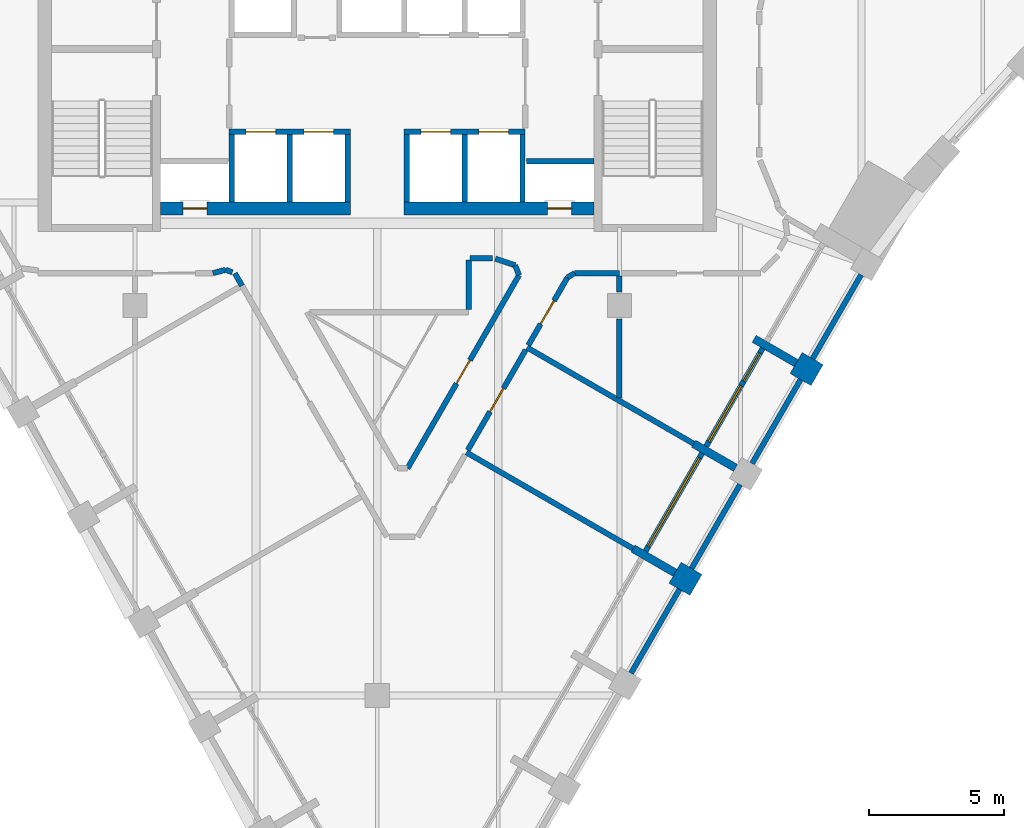
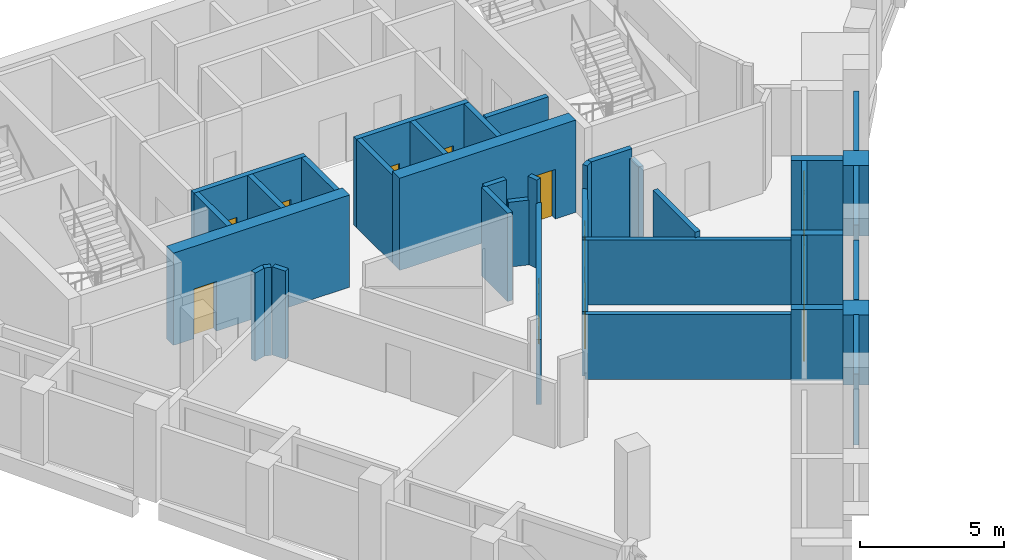
# One storey, part 4 of 9: 38 walls, 10 doors, 2 windows, 12 openings.
"""IFC4 building model written with IfcOpenShell, lengths in metres."""

import ifcopenshell
import ifcopenshell.guid

model = None  # the IFC model being written
_history = None  # IfcOwnerHistory: only IFC2X3 demands one
_inside = {}  # id of a spatial element -> (the spatial element, [elements in it])
_under = {}  # id of a project, library or spatial element -> (it, [spatial elements below it])
_declared = {}  # id of a project -> (the project, [libraries it declares])
_typed = {}  # id of a type object -> (the type object, [elements of that type])
_made_of = {}  # id of a material, layer set ... -> (it, [elements and type objects made of it])


def new_model(schema):
    """Start an empty IFC model of exactly this schema.

    Asked for "IFC4X3", IfcOpenShell would pick the latest addendum, in which some entities
    have other attributes; the version numbers below select the first issue.
    IFC2X3 requires an IfcOwnerHistory on every rooted entity: one is made here for all.
    """
    global model, _history
    if schema == "IFC4X3":
        model = ifcopenshell.file(schema_version=(4, 3, 0, 0))
    else:
        model = ifcopenshell.file(schema=schema)
    _inside.clear()
    _under.clear()
    _declared.clear()
    _typed.clear()
    _made_of.clear()
    _history = None
    if model.schema == "IFC2X3":
        org = make("IfcOrganization", Name="unknown")
        user = make(
            "IfcPersonAndOrganization",
            ThePerson=make("IfcPerson", FamilyName="unknown"),
            TheOrganization=org,
        )
        app = make(
            "IfcApplication",
            ApplicationDeveloper=org,
            Version="unknown",
            ApplicationFullName="unknown",
            ApplicationIdentifier="unknown",
        )
        _history = make(
            "IfcOwnerHistory",
            OwningUser=user,
            OwningApplication=app,
            ChangeAction="ADDED",
            CreationDate=0,
        )
    return model


def make(cls, **values):
    """One entity of the class cls with the attributes given. An attribute that is None is left unset."""
    return model.create_entity(
        cls, **{name: value for name, value in values.items() if value is not None}
    )


def rooted(cls, **values):
    """An entity with a GlobalId (a new one), such as an element, a storey or a relation."""
    return make(cls, GlobalId=ifcopenshell.guid.new(), OwnerHistory=_history, **values)


def si_unit(unit_type, name, prefix=None):
    """IfcSIUnit, for example si_unit("LENGTHUNIT", "METRE", prefix="MILLI")."""
    return make("IfcSIUnit", UnitType=unit_type, Prefix=prefix, Name=name)


def assignment(units):
    """IfcUnitAssignment: the units of a project."""
    return None if units is None else make("IfcUnitAssignment", Units=units)


def point(xyz):
    """IfcCartesianPoint."""
    return None if xyz is None else make("IfcCartesianPoint", Coordinates=xyz)


def direction(xyz):
    """IfcDirection."""
    return None if xyz is None else make("IfcDirection", DirectionRatios=xyz)


def frame(location, z_axis=None, x_axis=None):
    """IfcAxis2Placement3D, a coordinate frame: its origin and axes. An axis left out is left unset."""
    return make(
        "IfcAxis2Placement3D",
        Location=point(location),
        Axis=direction(z_axis),
        RefDirection=direction(x_axis),
    )


def frame_2d(location, x_axis=None):
    """IfcAxis2Placement2D, a coordinate frame in the plane: its origin and x axis."""
    return make(
        "IfcAxis2Placement2D", Location=point(location), RefDirection=direction(x_axis)
    )


def origin():
    """The frame at (0, 0, 0) with its axes left unset."""
    return frame((0.0, 0.0, 0.0))


def place(relative_to, where):
    """IfcLocalPlacement: puts the frame where relative to a parent placement (None: the world)."""
    return make(
        "IfcLocalPlacement", PlacementRelTo=relative_to, RelativePlacement=where
    )


def context(
    kind, dimensions, precision=None, world=None, true_north=None, identifier=None
):
    """IfcGeometricRepresentationContext, for example the 3D "Model" context."""
    return make(
        "IfcGeometricRepresentationContext",
        ContextIdentifier=identifier,
        ContextType=kind,
        CoordinateSpaceDimension=dimensions,
        Precision=precision,
        WorldCoordinateSystem=world,
        TrueNorth=true_north,
    )


def subcontext(parent, identifier, kind, view, scale=None):
    """IfcGeometricRepresentationSubContext, for example "Body" below "Model"."""
    return make(
        "IfcGeometricRepresentationSubContext",
        ContextIdentifier=identifier,
        ContextType=kind,
        ParentContext=parent,
        TargetScale=scale,
        TargetView=view,
    )


def project(units=None, contexts=None):
    """IfcProject with its units and contexts."""
    return rooted(
        "IfcProject",
        Name="project",
        RepresentationContexts=contexts,
        UnitsInContext=assignment(units),
    )


def spatial(cls, under=None, at=None, **own):
    """A site, building, storey or space (cls), placed at a placement, below another one or the project."""
    s = rooted(cls, ObjectPlacement=at, **own)
    if under is not None:
        _under.setdefault(under.id(), (under, []))[1].append(s)
    return s


def polyline(points):
    """IfcPolyline through the points."""
    return make("IfcPolyline", Points=[point(p) for p in points])


def profile(cls, at=None, kind="AREA", **sizes):
    """A parametric profile (cls). Its sizes go by their IFC names, for example OverallWidth=200.0."""
    return make(cls, ProfileType=kind, Position=at, **sizes)


def rectangle(**sizes):
    """IfcRectangleProfileDef."""
    return profile("IfcRectangleProfileDef", **sizes)


def outline(outer, holes=None, kind="AREA"):
    """IfcArbitraryClosedProfileDef: a profile drawn as a closed curve; with holes, ...WithVoids."""
    if holes is None:
        return make("IfcArbitraryClosedProfileDef", ProfileType=kind, OuterCurve=outer)
    return make(
        "IfcArbitraryProfileDefWithVoids",
        ProfileType=kind,
        OuterCurve=outer,
        InnerCurves=holes,
    )


def extrude(swept, where, along, depth):
    """IfcExtrudedAreaSolid: the profile swept, set in the frame where, extruded along a direction by depth."""
    return make(
        "IfcExtrudedAreaSolid",
        SweptArea=swept,
        Position=where,
        ExtrudedDirection=direction(along),
        Depth=depth,
    )


def shape(context_of_items, identifier, shape_type, items):
    """IfcShapeRepresentation: the items that make up one representation, for example the "Body"."""
    return make(
        "IfcShapeRepresentation",
        ContextOfItems=context_of_items,
        RepresentationIdentifier=identifier,
        RepresentationType=shape_type,
        Items=items,
    )


def material(Name=None, Category=None):
    """IfcMaterial."""
    return make("IfcMaterial", Name=Name, Category=Category)


def layer(
    of_material, thickness, ventilated=None, Name=None, Category=None, Priority=None
):
    """IfcMaterialLayer: one layer of a wall or slab, of a material (None: an air gap)."""
    return make(
        "IfcMaterialLayer",
        Material=of_material,
        LayerThickness=thickness,
        IsVentilated=ventilated,
        Name=Name,
        Category=Category,
        Priority=Priority,
    )


def layer_set(layers, Name=None):
    """IfcMaterialLayerSet."""
    return make("IfcMaterialLayerSet", MaterialLayers=layers, LayerSetName=Name)


def made_of(thing, what):
    """Note that an element or type object is made of a material, layer set ...; save() writes the relation."""
    if what is not None:
        _made_of.setdefault(what.id(), (what, []))[1].append(thing)
    return thing


def type_object(cls, material=None, **own):
    """A type object (cls), such as IfcWallType, which elements share."""
    return made_of(rooted(cls, **own), material)


def element(
    cls,
    number,
    at=None,
    inside=None,
    cuts=None,
    type_object=None,
    material=None,
    context=None,
    identifier="Body",
    shape_type=None,
    held_by="IfcProductDefinitionShape",
    body=None,
    shapes=None,
    **own,
):
    """One element of the class cls, such as IfcWall. Its Tag is "e" and its number.

    at: its placement. inside: the storey or other place that contains it. cuts: it is an
    opening in that element (IfcRelVoidsElement). A single representation is given by context,
    identifier, shape_type and body (its items); several are given by shapes. held_by: the class
    of the entity that holds the representations. save() writes the other relations.
    """
    e = rooted(cls, Tag="e%d" % number, ObjectPlacement=at, **own)
    if body is not None:
        shapes = [shape(context, identifier, shape_type, body)]
    if shapes is not None:
        e.Representation = make(held_by, Representations=shapes)
    if inside is not None:
        _inside.setdefault(inside.id(), (inside, []))[1].append(e)
    if cuts is not None:
        rooted(
            "IfcRelVoidsElement", RelatingBuildingElement=cuts, RelatedOpeningElement=e
        )
    if type_object is not None:
        _typed.setdefault(type_object.id(), (type_object, []))[1].append(e)
    return made_of(e, material)


def fill(opening, filler):
    """IfcRelFillsElement: the door or window that sits in an opening."""
    return rooted(
        "IfcRelFillsElement",
        RelatingOpeningElement=opening,
        RelatedBuildingElement=filler,
    )


def aggregate(whole, parts):
    """IfcRelAggregates: a whole, such as a stair, and the parts it consists of."""
    return rooted("IfcRelAggregates", RelatingObject=whole, RelatedObjects=parts)


def save(model, path):
    """Write the relations noted so far, then the file.

    IfcRelAggregates (storeys below a building ...), IfcRelContainedInSpatialStructure (elements
    in a storey), IfcRelDefinesByType, IfcRelAssociatesMaterial and IfcRelDeclares: one each for
    every whole, place, type object, material and project.
    """
    for whole, parts in _under.values():
        aggregate(whole, parts)
    for where, things in _inside.values():
        rooted(
            "IfcRelContainedInSpatialStructure",
            RelatedElements=things,
            RelatingStructure=where,
        )
    for kind, things in _typed.values():
        rooted("IfcRelDefinesByType", RelatedObjects=things, RelatingType=kind)
    for what, things in _made_of.values():
        rooted("IfcRelAssociatesMaterial", RelatedObjects=things, RelatingMaterial=what)
    for by, libraries in _declared.values():
        rooted("IfcRelDeclares", RelatingContext=by, RelatedDefinitions=libraries)
    model.write(path)


model = new_model("IFC4")

# Units and contexts
model_context = context("Model", 3, precision=1e-05, world=origin(), true_north=direction((0.0, 1.0)))
body_context = subcontext(model_context, "Body", "Model", "MODEL_VIEW")
ifc_project = project(units=[si_unit("LENGTHUNIT", "METRE"), si_unit("AREAUNIT", "SQUARE_METRE"), si_unit("VOLUMEUNIT", "CUBIC_METRE"), si_unit("PLANEANGLEUNIT", "RADIAN"), si_unit("MASSUNIT", "GRAM", prefix="KILO")], contexts=[model_context])

# Site, building, storey
site_placement = place(None, origin())
site = spatial("IfcSite", under=ifc_project, at=site_placement, CompositionType="ELEMENT")
building_placement = place(site_placement, origin())
building = spatial("IfcBuilding", under=site, at=building_placement, Name="Calabash Gate Tower", CompositionType="ELEMENT")
storey_placement = place(building_placement, frame((0.0, 0.0, 291.10009765625)))
storey = spatial("IfcBuildingStorey", under=building, at=storey_placement, Name="L70", CompositionType="ELEMENT", Elevation=291.10009765625)

# Walls
ifc_material_1 = material(Name="Terracotta brick masonry, exposed face", Category="masonry")
ifc_layer_1 = layer(ifc_material_1, 0.89990234375)
ifc_layer_set_1 = layer_set([ifc_layer_1], Name="Brick end wall 900")
wall_type_1 = type_object("IfcWallType", Name="Brick end wall 900", PredefinedType="SOLIDWALL", material=ifc_layer_set_1)
wall_1_placement = place(storey_placement, frame((11.068115234375, -7.436767578125, 0.0), z_axis=(0.0, 0.0, 1.0), x_axis=(0.866081705922, -0.499902469156, 0.0)))
element("IfcWall", 1, at=wall_1_placement, inside=storey, type_object=wall_type_1, Name="Brick pier S21 SE2.3", PredefinedType="SOLIDWALL", context=body_context, shape_type="SweptSolid", body=[
    extrude(rectangle(XDim=0.900146484375, YDim=0.89990234375, at=frame_2d((0.4501953125, 0.0))), origin(), (0.0, 0.0, 1.0), 2.973388671875),
])
wall_2_placement = place(storey_placement, frame((15.568115234375, 0.357421875, 0.0), z_axis=(0.0, 0.0, 1.0), x_axis=(0.866081705922, -0.499902469156, 0.0)))
element("IfcWall", 2, at=wall_2_placement, inside=storey, type_object=wall_type_1, Name="Brick pier S21 SE2.5", PredefinedType="SOLIDWALL", context=body_context, shape_type="SweptSolid", body=[
    extrude(rectangle(XDim=0.900146484375, YDim=0.89990234375, at=frame_2d((0.4501953125, 0.0))), origin(), (0.0, 0.0, 1.0), 3.0),
])
ifc_material_2 = material(Name="Terracotta brick masonry, exposed face", Category="masonry")
ifc_layer_2 = layer(ifc_material_2, 0.300048828125)
ifc_layer_set_2 = layer_set([ifc_layer_2], Name="Brick loggia cheek wall 300")
wall_type_2 = type_object("IfcWallType", Name="Brick loggia cheek wall 300", PredefinedType="SOLIDWALL", material=ifc_layer_set_2)
wall_3_placement = place(storey_placement, frame((11.068115234375, -7.436767578125, 0.0), z_axis=(0.0, 0.0, 1.0), x_axis=(-0.866047807691, 0.499961193289, 0.0)))
element("IfcWall", 3, at=wall_3_placement, inside=storey, type_object=wall_type_2, Name="Loggia cheek S21 SE2.3", PredefinedType="SOLIDWALL", context=body_context, shape_type="SweptSolid", body=[
    extrude(rectangle(XDim=1.800048828125, YDim=0.300048828125, at=frame_2d((0.89990234375, 0.0))), origin(), (0.0, 0.0, 1.0), 3.0),
])
wall_4_placement = place(storey_placement, frame((11.75927734375, -2.6396484375, 0.0), z_axis=(0.0, 0.0, 1.0), x_axis=(0.866038726271, -0.499976924066, 0.0)))
element("IfcWall", 4, at=wall_4_placement, inside=storey, type_object=wall_type_2, Name="Loggia cheek S21 SE2.4", PredefinedType="SOLIDWALL", context=body_context, shape_type="SweptSolid", body=[
    extrude(rectangle(XDim=1.79931640625, YDim=0.300048828125, at=frame_2d((0.899658203125, 0.0))), origin(), (0.0, 0.0, 1.0), 3.0),
])
wall_5_placement = place(storey_placement, frame((15.568115234375, 0.357421875, 0.0), z_axis=(0.0, 0.0, 1.0), x_axis=(-0.866047807691, 0.499961193289, 0.0)))
element("IfcWall", 5, at=wall_5_placement, inside=storey, type_object=wall_type_2, Name="Loggia cheek S21 SE2.5", PredefinedType="SOLIDWALL", context=body_context, shape_type="SweptSolid", body=[
    extrude(rectangle(XDim=1.800048828125, YDim=0.300048828125, at=frame_2d((0.89990234375, 0.0))), origin(), (0.0, 0.0, 1.0), 3.0),
])

# Wall, opening, door
ifc_material_3 = material(Name="Concrete C60/75", Category="concrete")
ifc_layer_3 = layer(ifc_material_3, 0.5)
ifc_layer_set_3 = layer_set([ifc_layer_3], Name="Core wall 500 Concrete C60/75")
wall_type_3 = type_object("IfcWallType", Name="Core wall 500 Concrete C60/75", PredefinedType="SHEAR", material=ifc_layer_set_3)
wall_6_placement = place(storey_placement, frame((-8.050048828125, 6.1025390625, 0.0), z_axis=(0.0, 0.0, 1.0), x_axis=(1.0, 0.0, 0.0)))
wall_6 = element("IfcWall", 6, at=wall_6_placement, inside=storey, type_object=wall_type_3, Name="Core wall Z5-SA L70", PredefinedType="SHEAR", context=body_context, shape_type="SweptSolid", body=[
    extrude(rectangle(XDim=7.050048828125, YDim=0.5, at=frame_2d((3.52490234375, 0.0))), origin(), (0.0, 0.0, 1.0), 3.89990234375),
])
opening_1_placement = place(wall_6_placement, frame((0.824951171875, 0.0, 0.0)))
opening_1 = element("IfcOpeningElement", 7, at=opening_1_placement, cuts=wall_6, Name="Opening O13-009", PredefinedType="OPENING", context=body_context, shape_type="SweptSolid", body=[
    extrude(rectangle(XDim=0.89990234375, YDim=2.10009765625, at=frame_2d((0.449951171875, 1.050048828125))), frame((0.0, 0.260009765625, 0.0), z_axis=(0.0, -1.0, 0.0), x_axis=(1.0, 0.0, 0.0)), (0.0, 0.0, 1.0), 0.52001953125),
])
ifc_material_4 = material(Name="Steel fire door set with fire-resisting glazing", Category="steel")
door_type_1 = type_object("IfcDoorType", Name="Fire door D07 900x2100 FD90", OperationType="NOTDEFINED", PredefinedType="DOOR", material=ifc_material_4)
door_1_placement = place(opening_1_placement, origin())
door_1 = element("IfcDoor", 8, at=door_1_placement, inside=storey, type_object=door_type_1, Name="Electrical Riser W door", OperationType="SINGLE_SWING_LEFT", OverallHeight=2.10009765625, OverallWidth=0.89990234375, PredefinedType="DOOR", context=body_context, shape_type="SweptSolid", body=[
    extrude(rectangle(XDim=0.89990234375, YDim=2.10009765625, at=frame_2d((0.449951171875, 1.050048828125))), frame((0.0, 0.02490234375, 0.0), z_axis=(0.0, -1.0, 0.0), x_axis=(1.0, 0.0, 0.0)), (0.0, 0.0, 1.0), 0.050048828125),
])
fill(opening_1, door_1)

wall_7_placement = place(storey_placement, frame((1.0, 6.1025390625, 0.0), z_axis=(0.0, 0.0, 1.0), x_axis=(1.0, 0.0, 0.0)))
wall_7 = element("IfcWall", 9, at=wall_7_placement, inside=storey, type_object=wall_type_3, Name="Core wall Z5-SB L70", PredefinedType="SHEAR", context=body_context, shape_type="SweptSolid", body=[
    extrude(rectangle(XDim=7.050048828125, YDim=0.5, at=frame_2d((3.52490234375, 0.0))), origin(), (0.0, 0.0, 1.0), 3.89990234375),
])
opening_2_placement = place(wall_7_placement, frame((5.324951171875, 0.0, 0.0)))
opening_2 = element("IfcOpeningElement", 10, at=opening_2_placement, cuts=wall_7, Name="Opening O13-008", PredefinedType="OPENING", context=body_context, shape_type="SweptSolid", body=[
    extrude(rectangle(XDim=0.89990234375, YDim=2.10009765625, at=frame_2d((0.449951171875, 1.050048828125))), frame((0.0, 0.260009765625, 0.0), z_axis=(0.0, -1.0, 0.0), x_axis=(1.0, 0.0, 0.0)), (0.0, 0.0, 1.0), 0.52001953125),
])
door_2_placement = place(opening_2_placement, origin())
door_2 = element("IfcDoor", 11, at=door_2_placement, inside=storey, type_object=door_type_1, Name="Mechanical Riser E door", OperationType="SINGLE_SWING_RIGHT", OverallHeight=2.10009765625, OverallWidth=0.89990234375, PredefinedType="DOOR", context=body_context, shape_type="SweptSolid", body=[
    extrude(rectangle(XDim=0.89990234375, YDim=2.10009765625, at=frame_2d((0.449951171875, 1.050048828125))), frame((0.0, 0.02490234375, 0.0), z_axis=(0.0, -1.0, 0.0), x_axis=(1.0, 0.0, 0.0)), (0.0, 0.0, 1.0), 0.050048828125),
])
fill(opening_2, door_2)

ifc_material_5 = material(Name="Gypsum board on steel studs, mineral wool", Category="steel")
ifc_layer_4 = layer(ifc_material_5, 0.199951171875)
ifc_layer_set_4 = layer_set([ifc_layer_4], Name="Partition 200 gypsum board EI 60")
wall_type_4 = type_object("IfcWallType", Name="Partition 200 gypsum board EI 60", PredefinedType="PARTITIONING", material=ifc_layer_set_4)
wall_8_placement = place(storey_placement, frame((1.126220703125, -3.556396484375, 0.0), z_axis=(0.0, 0.0, 1.0), x_axis=(0.500008091576, 0.86602073206, 0.0)))
wall_8 = element("IfcWall", 12, at=wall_8_placement, inside=storey, type_object=wall_type_4, Name="Partition", PredefinedType="PARTITIONING", context=body_context, shape_type="SweptSolid", body=[
    extrude(rectangle(XDim=8.286376953125, YDim=0.199951171875, at=frame_2d((4.14306640625, 0.0))), origin(), (0.0, 0.0, 1.0), 2.74169921875),
])
opening_3_placement = place(wall_8_placement, frame((3.643310546875, 0.0, 0.0)))
opening_3 = element("IfcOpeningElement", 13, at=opening_3_placement, cuts=wall_8, Name="Opening 69-70-012", PredefinedType="OPENING", context=body_context, shape_type="SweptSolid", body=[
    extrude(rectangle(XDim=1.0, YDim=2.10009765625, at=frame_2d((0.5, 1.050048828125))), frame((0.0, 0.10986328125, 0.0), z_axis=(0.0, -1.0, 0.0), x_axis=(1.0, 0.0, 0.0)), (0.0, 0.0, 1.0), 0.219970703125),
])
ifc_material_6 = material(Name="Steel fire door set with fire-resisting glazing", Category="steel")
door_type_2 = type_object("IfcDoorType", Name="WD3 WC lobby door 1000x2100", OperationType="NOTDEFINED", PredefinedType="DOOR", material=ifc_material_6)
door_3_placement = place(opening_3_placement, origin())
door_3 = element("IfcDoor", 14, at=door_3_placement, inside=storey, type_object=door_type_2, Name="WC lobby door", OperationType="SINGLE_SWING_RIGHT", OverallHeight=2.10009765625, OverallWidth=1.0, PredefinedType="DOOR", context=body_context, shape_type="SweptSolid", body=[
    extrude(rectangle(XDim=1.0, YDim=2.10009765625, at=frame_2d((0.5, 1.050048828125))), frame((0.0, 0.02490234375, 0.0), z_axis=(0.0, -1.0, 0.0), x_axis=(1.0, 0.0, 0.0)), (0.0, 0.0, 1.0), 0.050048828125),
])
fill(opening_3, door_3)

# Walls
wall_9_placement = place(storey_placement, frame((3.316650390625, -2.9638671875, 0.0), z_axis=(0.0, 0.0, 1.0), x_axis=(0.8661275932, -0.499822960955, 0.0)))
element("IfcWall", 15, at=wall_9_placement, inside=storey, type_object=wall_type_4, Name="Partition", PredefinedType="PARTITIONING", context=body_context, shape_type="SweptSolid", body=[
    extrude(rectangle(XDim=7.1494140625, YDim=0.199951171875, at=frame_2d((3.57470703125, 0.0))), origin(), (0.0, 0.0, 1.0), 2.74169921875),
])
wall_10_placement = place(storey_placement, frame((8.998046875, -0.943115234375, 0.0), z_axis=(0.0, 0.0, 1.0), x_axis=(0.000580671822, 0.99999983141, 0.0)))
element("IfcWall", 16, at=wall_10_placement, inside=storey, type_object=wall_type_4, Name="Partition", PredefinedType="PARTITIONING", context=body_context, shape_type="SweptSolid", body=[
    extrude(rectangle(XDim=2.943115234375, YDim=0.199951171875, at=frame_2d((1.4716796875, 0.0))), origin(), (0.0, 0.0, 1.0), 2.973388671875),
])

# Wall, opening, door
wall_11_placement = place(storey_placement, frame((3.368896484375, -2.876220703125, 0.0), z_axis=(0.0, 0.0, 1.0), x_axis=(0.500028799954, 0.866008775485, 0.0)))
wall_11 = element("IfcWall", 17, at=wall_11_placement, inside=storey, type_object=wall_type_4, Name="Partition", PredefinedType="PARTITIONING", context=body_context, shape_type="SweptSolid", body=[
    extrude(rectangle(XDim=4.300048828125, YDim=0.199951171875, at=frame_2d((2.14990234375, 0.0))), origin(), (0.0, 0.0, 1.0), 2.74169921875),
])
opening_4_placement = place(wall_11_placement, frame((1.64990234375, 0.0, 0.0)))
opening_4 = element("IfcOpeningElement", 18, at=opening_4_placement, cuts=wall_11, Name="Opening 69-70-003", PredefinedType="OPENING", context=body_context, shape_type="SweptSolid", body=[
    extrude(rectangle(XDim=1.0, YDim=2.10009765625, at=frame_2d((0.5, 1.050048828125))), frame((0.0, 0.10986328125, 0.0), z_axis=(0.0, -1.0, 0.0), x_axis=(1.0, 0.0, 0.0)), (0.0, 0.0, 1.0), 0.219970703125),
])
ifc_material_7 = material(Name="Steel fire door set with fire-resisting glazing", Category="steel")
door_type_3 = type_object("IfcDoorType", Name="LD2 Meeting room door 1000x2100", OperationType="NOTDEFINED", PredefinedType="DOOR", material=ifc_material_7)
door_4_placement = place(opening_4_placement, origin())
door_4 = element("IfcDoor", 19, at=door_4_placement, inside=storey, type_object=door_type_3, Name="Meeting room door", OperationType="SINGLE_SWING_LEFT", OverallHeight=2.10009765625, OverallWidth=1.0, PredefinedType="DOOR", context=body_context, shape_type="SweptSolid", body=[
    extrude(rectangle(XDim=1.0, YDim=2.10009765625, at=frame_2d((0.5, 1.050048828125))), frame((0.0, 0.02490234375, 0.0), z_axis=(0.0, -1.0, 0.0), x_axis=(1.0, 0.0, 0.0)), (0.0, 0.0, 1.0), 0.050048828125),
])
fill(opening_4, door_4)

# Walls
wall_12_placement = place(storey_placement, frame((5.568603515625, 0.936767578125, 0.0), z_axis=(0.0, 0.0, 1.0), x_axis=(0.866028067963, -0.499995385478, 0.0)))
element("IfcWall", 20, at=wall_12_placement, inside=storey, type_object=wall_type_4, Name="Partition", PredefinedType="PARTITIONING", context=body_context, shape_type="SweptSolid", body=[
    extrude(rectangle(XDim=7.1494140625, YDim=0.199951171875, at=frame_2d((3.57470703125, 0.0))), origin(), (0.0, 0.0, 1.0), 2.74169921875),
])
wall_13_placement = place(storey_placement, frame((8.998291015625, 3.599609375, 0.0), z_axis=(0.0, 0.0, 1.0), x_axis=(0.002442989453, -0.999997015897, 0.0)))
element("IfcWall", 21, at=wall_13_placement, inside=storey, type_object=wall_type_4, Name="Partition", PredefinedType="PARTITIONING", context=body_context, shape_type="SweptSolid", body=[
    extrude(rectangle(XDim=0.599609375, YDim=0.199951171875, at=frame_2d((0.2998046875, 0.0))), origin(), (0.0, 0.0, 1.0), 3.33154296875),
])
wall_14_placement = place(storey_placement, frame((-5.288818359375, 3.694091796875, 0.0), z_axis=(0.0, 0.0, 1.0), x_axis=(0.497517178185, -0.867454124096, 0.0)))
element("IfcWall", 22, at=wall_14_placement, inside=storey, type_object=wall_type_4, Name="Partition", PredefinedType="PARTITIONING", context=body_context, shape_type="SweptSolid", body=[
    extrude(rectangle(XDim=0.533935546875, YDim=0.199951171875, at=frame_2d((0.26708984375, 0.0))), origin(), (0.0, 0.0, 1.0), 3.72998046875),
])

# Wall, opening, door
wall_15_placement = place(storey_placement, frame((5.619140625, 1.021240234375, 0.0), z_axis=(0.0, 0.0, 1.0), x_axis=(0.499589520325, 0.866262264664, 0.0)))
wall_15 = element("IfcWall", 23, at=wall_15_placement, inside=storey, type_object=wall_type_4, Name="Partition", PredefinedType="PARTITIONING", context=body_context, shape_type="SweptSolid", body=[
    extrude(rectangle(XDim=2.9150390625, YDim=0.199951171875, at=frame_2d((1.45751953125, 0.0))), origin(), (0.0, 0.0, 1.0), 2.74169921875),
])
opening_5_placement = place(wall_15_placement, frame((0.906494140625, 0.0, 0.0)))
opening_5 = element("IfcOpeningElement", 24, at=opening_5_placement, cuts=wall_15, Name="Opening 69-70-010", PredefinedType="OPENING", context=body_context, shape_type="SweptSolid", body=[
    extrude(rectangle(XDim=1.0, YDim=2.10009765625, at=frame_2d((0.5, 1.050048828125))), frame((0.0, 0.10986328125, 0.0), z_axis=(0.0, -1.0, 0.0), x_axis=(1.0, 0.0, 0.0)), (0.0, 0.0, 1.0), 0.219970703125),
])
door_5_placement = place(opening_5_placement, origin())
door_5 = element("IfcDoor", 25, at=door_5_placement, inside=storey, type_object=door_type_3, Name="Meeting room door", OperationType="SINGLE_SWING_LEFT", OverallHeight=2.10009765625, OverallWidth=1.0, PredefinedType="DOOR", context=body_context, shape_type="SweptSolid", body=[
    extrude(rectangle(XDim=1.0, YDim=2.10009765625, at=frame_2d((0.5, 1.050048828125))), frame((0.0, 0.02490234375, 0.0), z_axis=(0.0, -1.0, 0.0), x_axis=(1.0, 0.0, 0.0)), (0.0, 0.0, 1.0), 0.050048828125),
])
fill(opening_5, door_5)

# Walls
wall_16_placement = place(storey_placement, frame((5.12890625, 3.989990234375, 0.0), z_axis=(0.0, 0.0, 1.0), x_axis=(0.355174654852, -0.934799959644, 0.0)))
element("IfcWall", 26, at=wall_16_placement, inside=storey, type_object=wall_type_4, Name="Partition", PredefinedType="PARTITIONING", context=body_context, shape_type="SweptSolid", body=[
    extrude(rectangle(XDim=0.39599609375, YDim=0.199951171875, at=frame_2d((0.197998046875, 0.0))), origin(), (0.0, 0.0, 1.0), 3.72998046875),
])
wall_17_placement = place(storey_placement, frame((7.075439453125, 3.54638671875, 0.0), z_axis=(0.0, 0.0, 1.0), x_axis=(0.866026229868, 0.499998569178, 0.0)))
element("IfcWall", 27, at=wall_17_placement, inside=storey, type_object=wall_type_4, Name="Partition", PredefinedType="PARTITIONING", context=body_context, shape_type="SweptSolid", body=[
    extrude(rectangle(XDim=0.30615234375, YDim=0.199951171875, at=frame_2d((0.153076171875, 0.0))), origin(), (0.0, 0.0, 1.0), 3.72998046875),
])
wall_18_placement = place(storey_placement, frame((7.340576171875, 3.699462890625, 0.0), z_axis=(0.0, 0.0, 1.0), x_axis=(0.999999610268, -0.000882871934, 0.0)))
element("IfcWall", 28, at=wall_18_placement, inside=storey, type_object=wall_type_4, Name="Partition", PredefinedType="PARTITIONING", context=body_context, shape_type="SweptSolid", body=[
    extrude(rectangle(XDim=1.6591796875, YDim=0.199951171875, at=frame_2d((0.82958984375, 0.0))), origin(), (0.0, 0.0, 1.0), 3.72998046875),
])
wall_19_placement = place(storey_placement, frame((-5.62890625, 3.822998046875, 0.0), z_axis=(0.0, 0.0, 1.0), x_axis=(0.93514551708, -0.354263830902, 0.0)))
element("IfcWall", 29, at=wall_19_placement, inside=storey, type_object=wall_type_4, Name="Partition", PredefinedType="PARTITIONING", context=body_context, shape_type="SweptSolid", body=[
    extrude(rectangle(XDim=0.263916015625, YDim=0.199951171875, at=frame_2d((0.1318359375, 0.0))), origin(), (0.0, 0.0, 1.0), 3.72998046875),
])
wall_20_placement = place(storey_placement, frame((-6.107177734375, 3.699462890625, 0.0), z_axis=(0.0, 0.0, 1.0), x_axis=(0.968223295936, 0.250087283177, 0.0)))
element("IfcWall", 30, at=wall_20_placement, inside=storey, type_object=wall_type_4, Name="Partition", PredefinedType="PARTITIONING", context=body_context, shape_type="SweptSolid", body=[
    extrude(rectangle(XDim=0.493896484375, YDim=0.199951171875, at=frame_2d((0.2470703125, 0.0))), origin(), (0.0, 0.0, 1.0), 3.72998046875),
])
wall_21_placement = place(storey_placement, frame((4.392578125, 4.235595703125, 0.0), z_axis=(0.0, 0.0, 1.0), x_axis=(0.94862037342, -0.316416477341, 0.0)))
element("IfcWall", 31, at=wall_21_placement, inside=storey, type_object=wall_type_4, Name="Partition", PredefinedType="PARTITIONING", context=body_context, shape_type="SweptSolid", body=[
    extrude(rectangle(XDim=0.776123046875, YDim=0.199951171875, at=frame_2d((0.38818359375, 0.0))), origin(), (0.0, 0.0, 1.0), 2.74169921875),
])
wall_22_placement = place(storey_placement, frame((3.400146484375, 2.3525390625, 0.0), z_axis=(0.0, 0.0, 1.0), x_axis=(0.0, 1.0, 0.0)))
element("IfcWall", 32, at=wall_22_placement, inside=storey, type_object=wall_type_4, Name="Partition", PredefinedType="PARTITIONING", context=body_context, shape_type="SweptSolid", body=[
    extrude(rectangle(XDim=1.829345703125, YDim=0.199951171875, at=frame_2d((0.91455078125, 0.0))), origin(), (0.0, 0.0, 1.0), 3.72998046875),
])
wall_23_placement = place(storey_placement, frame((3.441162109375, 4.25048828125, 0.0), z_axis=(0.0, 0.0, 1.0), x_axis=(0.999997346991, 0.002303477908, 0.0)))
element("IfcWall", 33, at=wall_23_placement, inside=storey, type_object=wall_type_4, Name="Partition", PredefinedType="PARTITIONING", context=body_context, shape_type="SweptSolid", body=[
    extrude(rectangle(XDim=0.847900390625, YDim=0.199951171875, at=frame_2d((0.423828125, 0.0))), origin(), (0.0, 0.0, 1.0), 3.72998046875),
])
ifc_material_8 = material(Name="Concrete C40/50", Category="concrete")
ifc_layer_5 = layer(ifc_material_8, 0.199951171875)
ifc_layer_set_5 = layer_set([ifc_layer_5], Name="Shaft wall 200 Concrete C40/50")
wall_type_5 = type_object("IfcWallType", Name="Shaft wall 200 Concrete C40/50", PredefinedType="SOLIDWALL", material=ifc_layer_set_5)
for number, where, z_axis, x_axis, name in (
    (34, (-5.39990234375, 6.3525390625, 0.0), (0.0, 0.0, 1.0), (0.0, 1.0, 0.0), "Shaft wall"),
    (35, (-3.25, 6.3525390625, 0.0), (0.0, 0.0, 1.0), (0.0, 1.0, 0.0), "Shaft wall"),
    (36, (-1.10009765625, 6.3525390625, 0.0), (0.0, 0.0, 1.0), (0.0, 1.0, 0.0), "Shaft wall"),
    (37, (1.10009765625, 6.3525390625, 0.0), (0.0, 0.0, 1.0), (0.0, 1.0, 0.0), "Shaft wall"),
    (38, (3.25, 6.3525390625, 0.0), (0.0, 0.0, 1.0), (0.0, 1.0, 0.0), "Shaft wall"),
    (39, (5.39990234375, 6.3525390625, 0.0), (0.0, 0.0, 1.0), (0.0, 1.0, 0.0), "Shaft wall"),
    (40, (5.550048828125, 7.8525390625, 0.0), (0.0, 0.0, 1.0), (1.0, 0.0, 0.0), "Shaft wall"),
):
    element("IfcWall", number, at=place(storey_placement, frame(where, z_axis=z_axis, x_axis=x_axis)), inside=storey, type_object=wall_type_5, Name=name, PredefinedType="SOLIDWALL", context=body_context, shape_type="SweptSolid", body=[
        extrude(rectangle(XDim=2.5, YDim=0.199951171875, at=frame_2d((1.25, 0.0))), origin(), (0.0, 0.0, 1.0), 3.72998046875),
    ])

# Wall, openings, doors
wall_24_placement = place(storey_placement, frame((-5.5, 8.95263671875, 0.0), z_axis=(0.0, 0.0, 1.0), x_axis=(1.0, 0.0, 0.0)))
wall_24 = element("IfcWall", 41, at=wall_24_placement, inside=storey, type_object=wall_type_5, Name="Shaft wall", PredefinedType="SOLIDWALL", context=body_context, shape_type="SweptSolid", body=[
    extrude(rectangle(XDim=4.5, YDim=0.199951171875, at=frame_2d((2.25, 0.0))), origin(), (0.0, 0.0, 1.0), 3.72998046875),
])
opening_6_placement = place(wall_24_placement, frame((0.625, 0.0, 0.0)))
opening_6 = element("IfcOpeningElement", 42, at=opening_6_placement, cuts=wall_24, Name="Opening LD-HR1", PredefinedType="OPENING", context=body_context, shape_type="SweptSolid", body=[
    extrude(rectangle(XDim=1.10009765625, YDim=2.10009765625, at=frame_2d((0.550048828125, 1.050048828125))), frame((0.0, 0.10986328125, 0.0), z_axis=(0.0, -1.0, 0.0), x_axis=(1.0, 0.0, 0.0)), (0.0, 0.0, 1.0), 0.219970703125),
])
opening_7_placement = place(wall_24_placement, frame((2.77490234375, 0.0, 0.0)))
opening_7 = element("IfcOpeningElement", 43, at=opening_7_placement, cuts=wall_24, Name="Opening LD-HR2", PredefinedType="OPENING", context=body_context, shape_type="SweptSolid", body=[
    extrude(rectangle(XDim=1.10009765625, YDim=2.10009765625, at=frame_2d((0.550048828125, 1.050048828125))), frame((0.0, 0.10986328125, 0.0), z_axis=(0.0, -1.0, 0.0), x_axis=(1.0, 0.0, 0.0)), (0.0, 0.0, 1.0), 0.219970703125),
])
ifc_material_9 = material(Name="Stainless steel sliding door leaves", Category="steel")
door_type_4 = type_object("IfcDoorType", Name="Lift landing door LS1 1100x2100 FD90", OperationType="DOUBLE_DOOR_SLIDING", PredefinedType="DOOR", material=ifc_material_9)
door_6_placement = place(opening_6_placement, origin())
door_6 = element("IfcDoor", 44, at=door_6_placement, inside=storey, type_object=door_type_4, Name="Lift landing door HR1", OperationType="DOUBLE_DOOR_SLIDING", OverallHeight=2.10009765625, OverallWidth=1.10009765625, PredefinedType="DOOR", context=body_context, shape_type="SweptSolid", body=[
    extrude(rectangle(XDim=1.10009765625, YDim=2.10009765625, at=frame_2d((0.550048828125, 1.050048828125))), frame((0.0, 0.02490234375, 0.0), z_axis=(0.0, -1.0, 0.0), x_axis=(1.0, 0.0, 0.0)), (0.0, 0.0, 1.0), 0.050048828125),
])
fill(opening_6, door_6)
door_7_placement = place(opening_7_placement, origin())
door_7 = element("IfcDoor", 45, at=door_7_placement, inside=storey, type_object=door_type_4, Name="Lift landing door HR2", OperationType="DOUBLE_DOOR_SLIDING", OverallHeight=2.10009765625, OverallWidth=1.10009765625, PredefinedType="DOOR", context=body_context, shape_type="SweptSolid", body=[
    extrude(rectangle(XDim=1.10009765625, YDim=2.10009765625, at=frame_2d((0.550048828125, 1.050048828125))), frame((0.0, 0.02490234375, 0.0), z_axis=(0.0, -1.0, 0.0), x_axis=(1.0, 0.0, 0.0)), (0.0, 0.0, 1.0), 0.050048828125),
])
fill(opening_7, door_7)

wall_25_placement = place(storey_placement, frame((1.0, 8.95263671875, 0.0), z_axis=(0.0, 0.0, 1.0), x_axis=(1.0, 0.0, 0.0)))
wall_25 = element("IfcWall", 46, at=wall_25_placement, inside=storey, type_object=wall_type_5, Name="Shaft wall", PredefinedType="SOLIDWALL", context=body_context, shape_type="SweptSolid", body=[
    extrude(rectangle(XDim=4.5, YDim=0.199951171875, at=frame_2d((2.25, 0.0))), origin(), (0.0, 0.0, 1.0), 3.72998046875),
])
opening_8_placement = place(wall_25_placement, frame((0.625, 0.0, 0.0)))
opening_8 = element("IfcOpeningElement", 47, at=opening_8_placement, cuts=wall_25, Name="Opening LD-HR3", PredefinedType="OPENING", context=body_context, shape_type="SweptSolid", body=[
    extrude(rectangle(XDim=1.10009765625, YDim=2.10009765625, at=frame_2d((0.550048828125, 1.050048828125))), frame((0.0, 0.10986328125, 0.0), z_axis=(0.0, -1.0, 0.0), x_axis=(1.0, 0.0, 0.0)), (0.0, 0.0, 1.0), 0.219970703125),
])
opening_9_placement = place(wall_25_placement, frame((2.77490234375, 0.0, 0.0)))
opening_9 = element("IfcOpeningElement", 48, at=opening_9_placement, cuts=wall_25, Name="Opening LD-HR4", PredefinedType="OPENING", context=body_context, shape_type="SweptSolid", body=[
    extrude(rectangle(XDim=1.10009765625, YDim=2.10009765625, at=frame_2d((0.550048828125, 1.050048828125))), frame((0.0, 0.10986328125, 0.0), z_axis=(0.0, -1.0, 0.0), x_axis=(1.0, 0.0, 0.0)), (0.0, 0.0, 1.0), 0.219970703125),
])
door_8_placement = place(opening_8_placement, origin())
door_8 = element("IfcDoor", 49, at=door_8_placement, inside=storey, type_object=door_type_4, Name="Lift landing door HR3", OperationType="DOUBLE_DOOR_SLIDING", OverallHeight=2.10009765625, OverallWidth=1.10009765625, PredefinedType="DOOR", context=body_context, shape_type="SweptSolid", body=[
    extrude(rectangle(XDim=1.10009765625, YDim=2.10009765625, at=frame_2d((0.550048828125, 1.050048828125))), frame((0.0, 0.02490234375, 0.0), z_axis=(0.0, -1.0, 0.0), x_axis=(1.0, 0.0, 0.0)), (0.0, 0.0, 1.0), 0.050048828125),
])
fill(opening_8, door_8)
door_9_placement = place(opening_9_placement, origin())
door_9 = element("IfcDoor", 50, at=door_9_placement, inside=storey, type_object=door_type_4, Name="Lift landing door HR4", OperationType="DOUBLE_DOOR_SLIDING", OverallHeight=2.10009765625, OverallWidth=1.10009765625, PredefinedType="DOOR", context=body_context, shape_type="SweptSolid", body=[
    extrude(rectangle(XDim=1.10009765625, YDim=2.10009765625, at=frame_2d((0.550048828125, 1.050048828125))), frame((0.0, 0.02490234375, 0.0), z_axis=(0.0, -1.0, 0.0), x_axis=(1.0, 0.0, 0.0)), (0.0, 0.0, 1.0), 0.050048828125),
])
fill(opening_9, door_9)

# Walls
ifc_material_10 = material(Name="Terracotta brick masonry, perforated", Category="masonry")
ifc_layer_6 = layer(ifc_material_10, 0.199951171875)
ifc_layer_set_6 = layer_set([ifc_layer_6], Name="Terracotta jaali screen A")
wall_type_6 = type_object("IfcWallType", Name="Terracotta jaali screen A", PredefinedType="SOLIDWALL", material=ifc_layer_set_6)
for number, where, z_axis, x_axis, name in (
    (51, (9.432861328125, -11.169189453125, 0.0), (0.0, 0.0, 1.0), (0.500012057535, 0.866018442252, 0.0), "SCREEN A S21 SE2.3"),
    (52, (11.682861328125, -7.272216796875, 0.0), (0.0, 0.0, 1.0), (0.500012057535, 0.866018442252, 0.0), "SCREEN A S21 SE2.4"),
):
    element("IfcWall", number, at=place(storey_placement, frame(where, z_axis=z_axis, x_axis=x_axis)), inside=storey, type_object=wall_type_6, Name=name, PredefinedType="SOLIDWALL", context=body_context, shape_type="SweptSolid", body=[
        extrude(rectangle(XDim=3.60009765625, YDim=0.199951171875, at=frame_2d((1.800048828125, 0.0))), origin(), (0.0, 0.0, 1.0), 3.0),
    ])
wall_26_placement = place(storey_placement, origin())
element("IfcWall", 53, at=wall_26_placement, inside=storey, type_object=wall_type_6, Name="SCREEN A S21 SE2.5", PredefinedType="SOLIDWALL", context=body_context, shape_type="SweptSolid", body=[
    extrude(outline(polyline([(15.646240234375, -0.207275390625), (13.84716796875, -3.32373046875), (14.020263671875, -3.423583984375), (15.819580078125, -0.307373046875), (15.646240234375, -0.207275390625)])), origin(), (0.0, 0.0, 1.0), 3.0),
])
wall_27_placement = place(storey_placement, frame((16.182861328125, 0.522216796875, 0.0), z_axis=(0.0, 0.0, 1.0), x_axis=(0.500012057535, 0.866018442252, 0.0)))
element("IfcWall", 54, at=wall_27_placement, inside=storey, type_object=wall_type_6, Name="SCREEN A S21 SE2.6", PredefinedType="SOLIDWALL", context=body_context, shape_type="SweptSolid", body=[
    extrude(rectangle(XDim=3.60009765625, YDim=0.199951171875, at=frame_2d((1.800048828125, 0.0))), origin(), (0.0, 0.0, 1.0), 3.0),
])

# Wall, opening, window
ifc_material_11 = material(Name="Aluminium framed window wall with insulated spandrel", Category="aluminium")
ifc_layer_7 = layer(ifc_material_11, 0.199951171875)
ifc_layer_set_7 = layer_set([ifc_layer_7], Name="Window wall 200")
wall_type_7 = type_object("IfcWallType", Name="Window wall 200", PredefinedType="ELEMENTEDWALL", material=ifc_layer_set_7)
wall_28_placement = place(storey_placement, frame((9.97412109375, -6.6318359375, 0.0), z_axis=(0.0, 0.0, 1.0), x_axis=(0.49998411664, 0.866034573852, 0.0)))
wall_28 = element("IfcWall", 55, at=wall_28_placement, inside=storey, type_object=wall_type_7, Name="Window wall S21 SE2.4", PredefinedType="ELEMENTEDWALL", context=body_context, shape_type="SweptSolid", body=[
    extrude(rectangle(XDim=4.199951171875, YDim=0.199951171875, at=frame_2d((2.10009765625, 0.0))), origin(), (0.0, 0.0, 1.0), 2.973388671875),
])
opening_10_placement = place(wall_28_placement, frame((0.199951171875, 0.0, 0.449951171875)))
opening_10 = element("IfcOpeningElement", 56, at=opening_10_placement, cuts=wall_28, Name="Opening OW2", PredefinedType="OPENING", context=body_context, shape_type="SweptSolid", body=[
    extrude(rectangle(XDim=3.800048828125, YDim=2.25, at=frame_2d((1.89990234375, 1.125))), frame((0.0, 0.10986328125, 0.0), z_axis=(0.0, -1.0, 0.0), x_axis=(1.0, 0.0, 0.0)), (0.0, 0.0, 1.0), 0.219970703125),
])
ifc_material_12 = material(Name="Anodised aluminium frame, bronze finish, impact-rated laminated clear glazing", Category="aluminium")
window_type_1 = type_object("IfcWindowType", Name="Window OW2 3800x2250", PartitioningType="TRIPLE_PANEL_VERTICAL", PredefinedType="WINDOW", material=ifc_material_12)
window_1_placement = place(opening_10_placement, origin())
window_1 = element("IfcWindow", 57, at=window_1_placement, inside=storey, type_object=window_type_1, Name="Window OW2 S21 SE2.4", OverallHeight=2.25, OverallWidth=3.800048828125, PartitioningType="SINGLE_PANEL", PredefinedType="WINDOW", context=body_context, shape_type="SweptSolid", body=[
    extrude(rectangle(XDim=3.800048828125, YDim=2.25, at=frame_2d((1.89990234375, 1.125))), frame((0.0, 0.030029296875, 0.0), z_axis=(0.0, -1.0, 0.0), x_axis=(1.0, 0.0, 0.0)), (0.0, 0.0, 1.0), 0.06005859375),
])
fill(opening_10, window_1)

# Wall, openings, door, window
wall_29_placement = place(storey_placement, frame((12.22412109375, -2.73486328125, 0.0), z_axis=(0.0, 0.0, 1.0), x_axis=(0.499958946799, 0.866049104564, 0.0)))
wall_29 = element("IfcWall", 58, at=wall_29_placement, inside=storey, type_object=wall_type_7, Name="Window wall S21 SE2.5", PredefinedType="ELEMENTEDWALL", context=body_context, shape_type="SweptSolid", body=[
    extrude(rectangle(XDim=4.199951171875, YDim=0.199951171875, at=frame_2d((2.10009765625, 0.0))), origin(), (0.0, 0.0, 1.0), 3.0),
])
opening_11_placement = place(wall_29_placement, frame((0.199951171875, 0.0, 0.449951171875)))
opening_11 = element("IfcOpeningElement", 59, at=opening_11_placement, cuts=wall_29, Name="Opening OW1", PredefinedType="OPENING", context=body_context, shape_type="SweptSolid", body=[
    extrude(rectangle(XDim=2.39990234375, YDim=2.25, at=frame_2d((1.199951171875, 1.125))), frame((0.0, 0.10986328125, 0.0), z_axis=(0.0, -1.0, 0.0), x_axis=(1.0, 0.0, 0.0)), (0.0, 0.0, 1.0), 0.219970703125),
])
opening_12_placement = place(wall_29_placement, frame((2.800048828125, 0.0, 0.0)))
opening_12 = element("IfcOpeningElement", 60, at=opening_12_placement, cuts=wall_29, Name="Opening O13-017", PredefinedType="OPENING", context=body_context, shape_type="SweptSolid", body=[
    extrude(rectangle(XDim=1.199951171875, YDim=2.699951171875, at=frame_2d((0.60009765625, 1.35009765625))), frame((0.0, 0.10986328125, 0.0), z_axis=(0.0, -1.0, 0.0), x_axis=(1.0, 0.0, 0.0)), (0.0, 0.0, 1.0), 0.219970703125),
])
ifc_material_13 = material(Name="Anodised aluminium frame, bronze finish, impact-rated laminated clear glazing", Category="aluminium")
door_type_5 = type_object("IfcDoorType", Name="Loggia door DO1 1200x2700", OperationType="SLIDING_TO_LEFT", PredefinedType="DOOR", material=ifc_material_13)
door_10_placement = place(opening_12_placement, origin())
door_10 = element("IfcDoor", 61, at=door_10_placement, inside=storey, type_object=door_type_5, Name="Loggia door S21 SE2.5", OperationType="SINGLE_SWING_LEFT", OverallHeight=2.699951171875, OverallWidth=1.199951171875, PredefinedType="DOOR", context=body_context, shape_type="SweptSolid", body=[
    extrude(rectangle(XDim=1.199951171875, YDim=2.699951171875, at=frame_2d((0.60009765625, 1.35009765625))), frame((0.0, 0.02490234375, 0.0), z_axis=(0.0, -1.0, 0.0), x_axis=(1.0, 0.0, 0.0)), (0.0, 0.0, 1.0), 0.050048828125),
])
fill(opening_12, door_10)
ifc_material_14 = material(Name="Anodised aluminium frame, bronze finish, impact-rated laminated clear glazing", Category="aluminium")
window_type_2 = type_object("IfcWindowType", Name="Window OW1 2400x2250", PartitioningType="DOUBLE_PANEL_VERTICAL", PredefinedType="WINDOW", material=ifc_material_14)
window_2_placement = place(opening_11_placement, origin())
window_2 = element("IfcWindow", 62, at=window_2_placement, inside=storey, type_object=window_type_2, Name="Window OW1 S21 SE2.5", OverallHeight=2.25, OverallWidth=2.39990234375, PartitioningType="SINGLE_PANEL", PredefinedType="WINDOW", context=body_context, shape_type="SweptSolid", body=[
    extrude(rectangle(XDim=2.39990234375, YDim=2.25, at=frame_2d((1.199951171875, 1.125))), frame((0.0, 0.030029296875, 0.0), z_axis=(0.0, -1.0, 0.0), x_axis=(1.0, 0.0, 0.0)), (0.0, 0.0, 1.0), 0.06005859375),
])
fill(opening_11, window_2)

save(model, "model.ifc")
